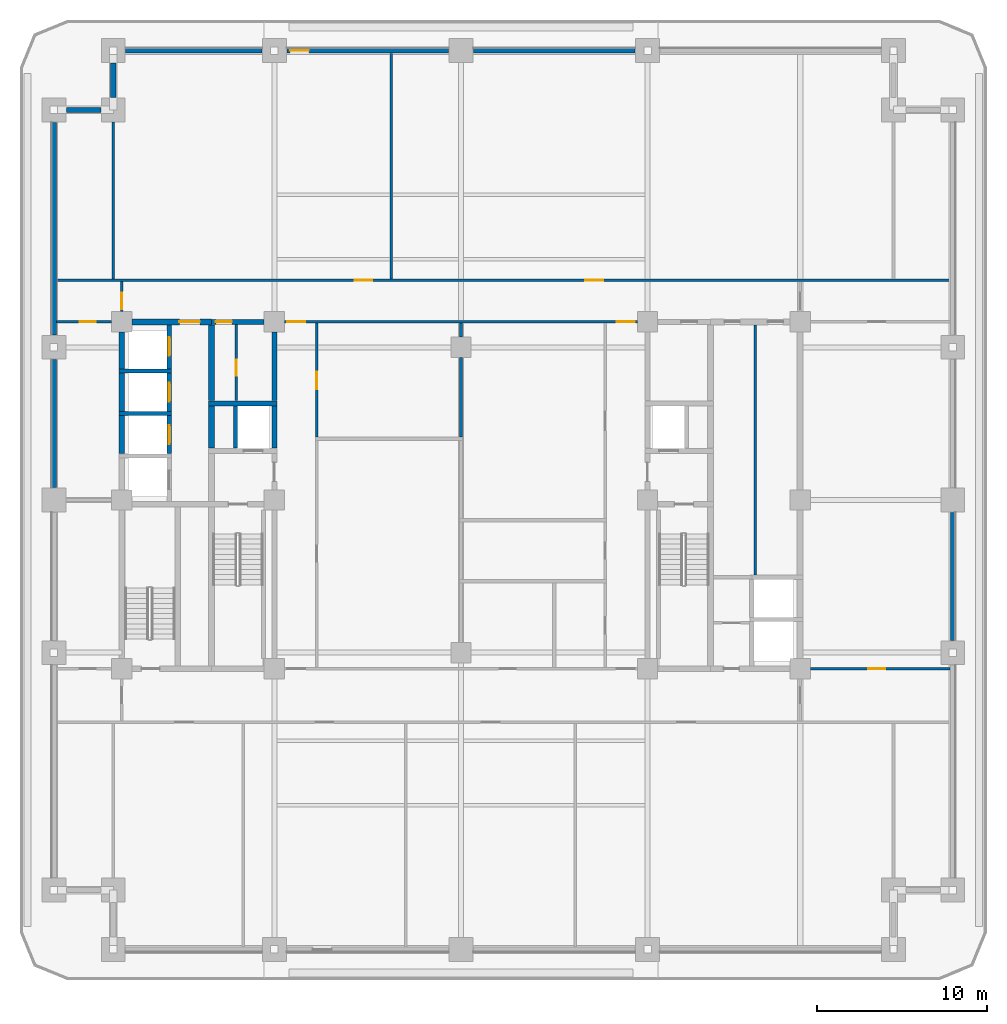
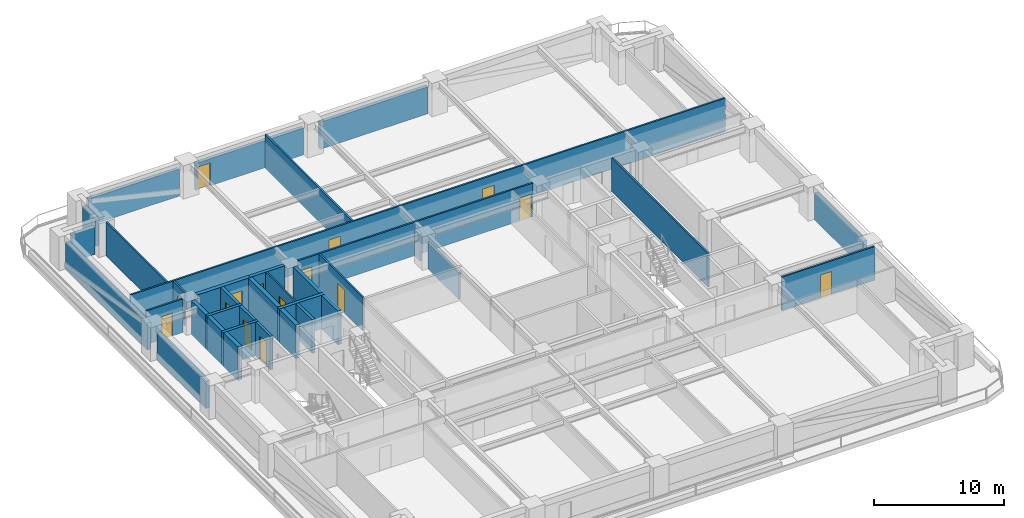
# One storey, part 4 of 12: 36 walls, 15 doors, 15 openings.
"""IFC4 building model written with IfcOpenShell, lengths in metres."""

from ifc_helpers import new_model, si_unit, direction, frame, frame_2d, origin, place, context, subcontext, project, spatial, rectangle, extrude, material, layer, layer_set, type_object, element, fill, save


model = new_model("IFC4")

# Units and contexts
model_context = context("Model", 3, precision=1e-05, world=origin(), true_north=direction((0.0, 1.0)))
body_context = subcontext(model_context, "Body", "Model", "MODEL_VIEW")
ifc_project = project(units=[si_unit("LENGTHUNIT", "METRE"), si_unit("AREAUNIT", "SQUARE_METRE"), si_unit("VOLUMEUNIT", "CUBIC_METRE"), si_unit("PLANEANGLEUNIT", "RADIAN"), si_unit("MASSUNIT", "GRAM", prefix="KILO")], contexts=[model_context])

# Site, building, storey
site_placement = place(None, origin())
site = spatial("IfcSite", under=ifc_project, at=site_placement, CompositionType="ELEMENT")
building_placement = place(site_placement, origin())
building = spatial("IfcBuilding", under=site, at=building_placement, Name="Zulmaris Gate Convention Tower", CompositionType="ELEMENT")
storey_placement = place(building_placement, frame((0.0, 0.0, 48.6201171875)))
storey = spatial("IfcBuildingStorey", under=building, at=storey_placement, Name="L11", CompositionType="ELEMENT", Elevation=48.6201171875)

# Walls
ifc_material_1 = material(Name="Concrete C50/60", Category="concrete")
ifc_layer_1 = layer(ifc_material_1, 0.25, Name="Concrete C50/60")
ifc_layer_set_1 = layer_set([ifc_layer_1], Name="Concrete C50/60")
wall_type_1 = type_object("IfcWallType", Name="CORE-250", PredefinedType="SOLIDWALL", material=ifc_layer_set_1)
for number, where, z_axis, x_axis, name in (
    (1, (-20.175048828125, 5.10009765625, 0.0), (0.0, 0.0, 1.0), (1.0, 0.0, 0.0), "WL-L11-012"),
    (2, (-20.175048828125, 7.60009765625, 0.0), (0.0, 0.0, 1.0), (1.0, 0.0, 0.0), "WL-L11-015"),
):
    element("IfcWall", number, at=place(storey_placement, frame(where, z_axis=z_axis, x_axis=x_axis)), inside=storey, type_object=wall_type_1, Name=name, PredefinedType="SOLIDWALL", context=body_context, shape_type="SweptSolid", body=[
        extrude(rectangle(XDim=3.10009765625, YDim=0.25, at=frame_2d((1.550048828125, 0.0))), origin(), (0.0, 0.0, 1.0), 3.144775390625),
    ])

# Wall, opening, door
wall_1_placement = place(storey_placement, frame((-17.199951171875, 2.72705078125, 0.0), z_axis=(0.0, 0.0, 1.0), x_axis=(0.0, 1.0, 0.0)))
wall_1 = element("IfcWall", 3, at=wall_1_placement, inside=storey, type_object=wall_type_1, Name="WL-L11-040", PredefinedType="SOLIDWALL", context=body_context, shape_type="SweptSolid", body=[
    extrude(rectangle(XDim=2.245849609375, YDim=0.25, at=frame_2d((1.123046875, 0.0))), origin(), (0.0, 0.0, 1.0), 3.144775390625),
])
opening_1_placement = place(wall_1_placement, frame((0.572998046875, 0.0, 0.0)))
opening_1 = element("IfcOpeningElement", 4, at=opening_1_placement, cuts=wall_1, Name="Opening D-06", PredefinedType="OPENING", context=body_context, shape_type="SweptSolid", body=[
    extrude(rectangle(XDim=1.10009765625, YDim=2.199951171875, at=frame_2d((0.550048828125, 1.10009765625))), frame((0.0, 0.135009765625, 0.0), z_axis=(0.0, -1.0, 0.0), x_axis=(1.0, 0.0, 0.0)), (0.0, 0.0, 1.0), 0.27001953125),
])
ifc_material_2 = material(Name="Brushed Stainless Steel", Category="steel")
door_type_1 = type_object("IfcDoorType", Name="LD-1100", OperationType="NOTDEFINED", PredefinedType="DOOR", material=ifc_material_2)
door_1_placement = place(opening_1_placement, origin())
door_1 = element("IfcDoor", 5, at=door_1_placement, inside=storey, type_object=door_type_1, Name="L11 Lift Landing Door LP-02 13", OperationType="SLIDING_TO_LEFT", OverallHeight=2.199951171875, OverallWidth=1.10009765625, PredefinedType="DOOR", context=body_context, shape_type="SweptSolid", body=[
    extrude(rectangle(XDim=1.10009765625, YDim=2.199951171875, at=frame_2d((0.550048828125, 1.10009765625))), frame((0.0, 0.02490234375, 0.0), z_axis=(0.0, -1.0, 0.0), x_axis=(1.0, 0.0, 0.0)), (0.0, 0.0, 1.0), 0.050048828125),
])
fill(opening_1, door_1)

wall_2_placement = place(storey_placement, frame((-17.199951171875, 5.22705078125, 0.0), z_axis=(0.0, 0.0, 1.0), x_axis=(0.0, 1.0, 0.0)))
wall_2 = element("IfcWall", 6, at=wall_2_placement, inside=storey, type_object=wall_type_1, Name="WL-L11-041", PredefinedType="SOLIDWALL", context=body_context, shape_type="SweptSolid", body=[
    extrude(rectangle(XDim=2.245849609375, YDim=0.25, at=frame_2d((1.123046875, 0.0))), origin(), (0.0, 0.0, 1.0), 3.144775390625),
])
opening_2_placement = place(wall_2_placement, frame((0.572998046875, 0.0, 0.0)))
opening_2 = element("IfcOpeningElement", 7, at=opening_2_placement, cuts=wall_2, Name="Opening D-06", PredefinedType="OPENING", context=body_context, shape_type="SweptSolid", body=[
    extrude(rectangle(XDim=1.10009765625, YDim=2.199951171875, at=frame_2d((0.550048828125, 1.10009765625))), frame((0.0, 0.135009765625, 0.0), z_axis=(0.0, -1.0, 0.0), x_axis=(1.0, 0.0, 0.0)), (0.0, 0.0, 1.0), 0.27001953125),
])
door_2_placement = place(opening_2_placement, origin())
door_2 = element("IfcDoor", 8, at=door_2_placement, inside=storey, type_object=door_type_1, Name="L11 Lift Landing Door LP-03 14", OperationType="SLIDING_TO_LEFT", OverallHeight=2.199951171875, OverallWidth=1.10009765625, PredefinedType="DOOR", context=body_context, shape_type="SweptSolid", body=[
    extrude(rectangle(XDim=1.10009765625, YDim=2.199951171875, at=frame_2d((0.550048828125, 1.10009765625))), frame((0.0, 0.02490234375, 0.0), z_axis=(0.0, -1.0, 0.0), x_axis=(1.0, 0.0, 0.0)), (0.0, 0.0, 1.0), 0.050048828125),
])
fill(opening_2, door_2)

wall_3_placement = place(storey_placement, frame((-17.199951171875, 7.72705078125, 0.0), z_axis=(0.0, 0.0, 1.0), x_axis=(0.0, 1.0, 0.0)))
wall_3 = element("IfcWall", 9, at=wall_3_placement, inside=storey, type_object=wall_type_1, Name="WL-L11-042", PredefinedType="SOLIDWALL", context=body_context, shape_type="SweptSolid", body=[
    extrude(rectangle(XDim=2.595947265625, YDim=0.25, at=frame_2d((1.2978515625, 0.0))), origin(), (0.0, 0.0, 1.0), 3.144775390625),
])
opening_3_placement = place(wall_3_placement, frame((0.77294921875, 0.0, 0.0)))
opening_3 = element("IfcOpeningElement", 10, at=opening_3_placement, cuts=wall_3, Name="Opening D-06", PredefinedType="OPENING", context=body_context, shape_type="SweptSolid", body=[
    extrude(rectangle(XDim=1.10009765625, YDim=2.199951171875, at=frame_2d((0.550048828125, 1.10009765625))), frame((0.0, 0.135009765625, 0.0), z_axis=(0.0, -1.0, 0.0), x_axis=(1.0, 0.0, 0.0)), (0.0, 0.0, 1.0), 0.27001953125),
])
door_3_placement = place(opening_3_placement, origin())
door_3 = element("IfcDoor", 11, at=door_3_placement, inside=storey, type_object=door_type_1, Name="L11 Lift Landing Door LP-04 15", OperationType="SLIDING_TO_LEFT", OverallHeight=2.199951171875, OverallWidth=1.10009765625, PredefinedType="DOOR", context=body_context, shape_type="SweptSolid", body=[
    extrude(rectangle(XDim=1.10009765625, YDim=2.199951171875, at=frame_2d((0.550048828125, 1.10009765625))), frame((0.0, 0.02490234375, 0.0), z_axis=(0.0, -1.0, 0.0), x_axis=(1.0, 0.0, 0.0)), (0.0, 0.0, 1.0), 0.050048828125),
])
fill(opening_3, door_3)

# Walls
wall_4_placement = place(storey_placement, frame((-13.300048828125, 3.052001953125, 0.0), z_axis=(0.0, 0.0, 1.0), x_axis=(0.0, 1.0, 0.0)))
element("IfcWall", 12, at=wall_4_placement, inside=storey, type_object=wall_type_1, Name="WL-L11-048", PredefinedType="SOLIDWALL", context=body_context, shape_type="SweptSolid", body=[
    extrude(rectangle(XDim=2.49609375, YDim=0.25, at=frame_2d((1.248046875, 0.0))), origin(), (0.0, 0.0, 1.0), 3.144775390625),
])
ifc_layer_2 = layer(ifc_material_1, 0.300048828125, Name="Concrete C50/60")
ifc_layer_set_2 = layer_set([ifc_layer_2], Name="Concrete C50/60")
wall_type_2 = type_object("IfcWallType", Name="CORE-300", PredefinedType="SHEAR", material=ifc_layer_set_2)
wall_5_placement = place(storey_placement, frame((-14.875, 5.699951171875, 0.0), z_axis=(0.0, 0.0, 1.0), x_axis=(1.0, 0.0, 0.0)))
element("IfcWall", 13, at=wall_5_placement, inside=storey, type_object=wall_type_2, Name="WL-L11-013", PredefinedType="SHEAR", context=body_context, shape_type="SweptSolid", body=[
    extrude(rectangle(XDim=4.02490234375, YDim=0.300048828125, at=frame_2d((2.012451171875, 0.0))), origin(), (0.0, 0.0, 1.0), 3.144775390625),
])

# Wall, opening, door
wall_6_placement = place(storey_placement, frame((-14.699951171875, 10.5, 0.0), z_axis=(0.0, 0.0, 1.0), x_axis=(1.0, 0.0, 0.0)))
wall_6 = element("IfcWall", 14, at=wall_6_placement, inside=storey, type_object=wall_type_2, Name="WL-L11-017", PredefinedType="SHEAR", context=body_context, shape_type="SweptSolid", body=[
    extrude(rectangle(XDim=3.095947265625, YDim=0.300048828125, at=frame_2d((1.5478515625, 0.0))), origin(), (0.0, 0.0, 1.0), 3.144775390625),
])
opening_4_placement = place(wall_6_placement, frame((0.2451171875, 0.0, 0.0)))
opening_4 = element("IfcOpeningElement", 15, at=opening_4_placement, cuts=wall_6, Name="Opening D-11", PredefinedType="OPENING", context=body_context, shape_type="SweptSolid", body=[
    extrude(rectangle(XDim=0.949951171875, YDim=2.14990234375, at=frame_2d((0.47509765625, 1.074951171875))), frame((0.0, 0.16015625, 0.0), z_axis=(0.0, -1.0, 0.0), x_axis=(1.0, 0.0, 0.0)), (0.0, 0.0, 1.0), 0.320068359375),
])
ifc_material_3 = material(Name="Fire-Rated Timber", Category="wood")
door_type_2 = type_object("IfcDoorType", Name="DR-950-FD", OperationType="NOTDEFINED", PredefinedType="DOOR", material=ifc_material_3)
door_4_placement = place(opening_4_placement, origin())
door_4 = element("IfcDoor", 16, at=door_4_placement, inside=storey, type_object=door_type_2, Name="L11 Core Mail Room Door 07", OperationType="SINGLE_SWING_RIGHT", OverallHeight=2.14990234375, OverallWidth=0.949951171875, PredefinedType="DOOR", context=body_context, shape_type="SweptSolid", body=[
    extrude(rectangle(XDim=0.949951171875, YDim=2.14990234375, at=frame_2d((0.47509765625, 1.074951171875))), frame((0.0, 0.02490234375, 0.0), z_axis=(0.0, -1.0, 0.0), x_axis=(1.0, 0.0, 0.0)), (0.0, 0.0, 1.0), 0.050048828125),
])
fill(opening_4, door_4)

# Walls
wall_7_placement = place(storey_placement, frame((-11.0, 3.052001953125, 0.0), z_axis=(0.0, 0.0, 1.0), x_axis=(0.0, 1.0, 0.0)))
element("IfcWall", 17, at=wall_7_placement, inside=storey, type_object=wall_type_2, Name="WL-L11-052", PredefinedType="SHEAR", context=body_context, shape_type="SweptSolid", body=[
    extrude(rectangle(XDim=2.49609375, YDim=0.300048828125, at=frame_2d((1.248046875, 0.0))), origin(), (0.0, 0.0, 1.0), 3.144775390625),
])
wall_8_placement = place(storey_placement, frame((-11.0, 5.85205078125, 0.0), z_axis=(0.0, 0.0, 1.0), x_axis=(0.0, 1.0, 0.0)))
element("IfcWall", 18, at=wall_8_placement, inside=storey, type_object=wall_type_2, Name="WL-L11-053", PredefinedType="SHEAR", context=body_context, shape_type="SweptSolid", body=[
    extrude(rectangle(XDim=4.0439453125, YDim=0.300048828125, at=frame_2d((2.02197265625, 0.0))), origin(), (0.0, 0.0, 1.0), 3.144775390625),
])

# Wall, opening, door
ifc_material_4 = material(Name="Concrete C55/67", Category="concrete")
ifc_layer_3 = layer(ifc_material_4, 0.35009765625, Name="Concrete C55/67")
ifc_layer_set_3 = layer_set([ifc_layer_3], Name="Concrete C55/67")
wall_type_3 = type_object("IfcWallType", Name="CORE-350", PredefinedType="SHEAR", material=ifc_layer_set_3)
wall_9_placement = place(storey_placement, frame((-19.39599609375, 10.5, 0.0), z_axis=(0.0, 0.0, 1.0), x_axis=(1.0, 0.0, 0.0)))
wall_9 = element("IfcWall", 19, at=wall_9_placement, inside=storey, type_object=wall_type_3, Name="WL-L11-016", PredefinedType="SHEAR", context=body_context, shape_type="SweptSolid", body=[
    extrude(rectangle(XDim=4.696044921875, YDim=0.35009765625, at=frame_2d((2.34814453125, 0.0))), origin(), (0.0, 0.0, 1.0), 3.144775390625),
])
opening_5_placement = place(wall_9_placement, frame((2.7958984375, 0.0, 0.0)))
opening_5 = element("IfcOpeningElement", 20, at=opening_5_placement, cuts=wall_9, Name="Opening D-13", PredefinedType="OPENING", context=body_context, shape_type="SweptSolid", body=[
    extrude(rectangle(XDim=1.199951171875, YDim=2.14990234375, at=frame_2d((0.60009765625, 1.074951171875))), frame((0.0, 0.18505859375, 0.0), z_axis=(0.0, -1.0, 0.0), x_axis=(1.0, 0.0, 0.0)), (0.0, 0.0, 1.0), 0.3701171875),
])
ifc_material_5 = material(Name="Fire-Rated Steel", Category="steel")
door_type_3 = type_object("IfcDoorType", Name="DR-1200-FD", OperationType="NOTDEFINED", PredefinedType="DOOR", material=ifc_material_5)
door_5_placement = place(opening_5_placement, origin())
door_5 = element("IfcDoor", 21, at=door_5_placement, inside=storey, type_object=door_type_3, Name="L11 Low-Rise Lift Lobby Door 11", OperationType="SINGLE_SWING_RIGHT", OverallHeight=2.14990234375, OverallWidth=1.199951171875, PredefinedType="DOOR", context=body_context, shape_type="SweptSolid", body=[
    extrude(rectangle(XDim=1.199951171875, YDim=2.14990234375, at=frame_2d((0.60009765625, 1.074951171875))), frame((0.0, 0.02490234375, 0.0), z_axis=(0.0, -1.0, 0.0), x_axis=(1.0, 0.0, 0.0)), (0.0, 0.0, 1.0), 0.050048828125),
])
fill(opening_5, door_5)

# Walls
for number, where, z_axis, x_axis, name in (
    (22, (-20.0, 2.72705078125, 0.0), (0.0, 0.0, 1.0), (0.0, 1.0, 0.0), "WL-L11-036"),
    (23, (-20.0, 5.22705078125, 0.0), (0.0, 0.0, 1.0), (0.0, 1.0, 0.0), "WL-L11-037"),
):
    element("IfcWall", number, at=place(storey_placement, frame(where, z_axis=z_axis, x_axis=x_axis)), inside=storey, type_object=wall_type_3, Name=name, PredefinedType="SHEAR", context=body_context, shape_type="SweptSolid", body=[
        extrude(rectangle(XDim=2.245849609375, YDim=0.35009765625, at=frame_2d((1.123046875, 0.0))), origin(), (0.0, 0.0, 1.0), 3.144775390625),
    ])
wall_10_placement = place(storey_placement, frame((-20.0, 7.72705078125, 0.0), z_axis=(0.0, 0.0, 1.0), x_axis=(0.0, 1.0, 0.0)))
element("IfcWall", 24, at=wall_10_placement, inside=storey, type_object=wall_type_3, Name="WL-L11-038", PredefinedType="SHEAR", context=body_context, shape_type="SweptSolid", body=[
    extrude(rectangle(XDim=2.1689453125, YDim=0.35009765625, at=frame_2d((1.08447265625, 0.0))), origin(), (0.0, 0.0, 1.0), 3.144775390625),
])
wall_11_placement = place(storey_placement, frame((-14.699951171875, 3.052001953125, 0.0), z_axis=(0.0, 0.0, 1.0), x_axis=(0.0, 1.0, 0.0)))
element("IfcWall", 25, at=wall_11_placement, inside=storey, type_object=wall_type_3, Name="WL-L11-046", PredefinedType="SHEAR", context=body_context, shape_type="SweptSolid", body=[
    extrude(rectangle(XDim=2.49609375, YDim=0.35009765625, at=frame_2d((1.248046875, 0.0))), origin(), (0.0, 0.0, 1.0), 3.144775390625),
])
wall_12_placement = place(storey_placement, frame((-14.699951171875, 5.85205078125, 0.0), z_axis=(0.0, 0.0, 1.0), x_axis=(0.0, 1.0, 0.0)))
element("IfcWall", 26, at=wall_12_placement, inside=storey, type_object=wall_type_3, Name="WL-L11-047", PredefinedType="SHEAR", context=body_context, shape_type="SweptSolid", body=[
    extrude(rectangle(XDim=4.470947265625, YDim=0.35009765625, at=frame_2d((2.2353515625, 0.0))), origin(), (0.0, 0.0, 1.0), 3.144775390625),
])

# Wall, opening, door
ifc_material_6 = material(Name="Gypsum Metal Stud Partition")
ifc_layer_4 = layer(ifc_material_6, 0.14990234375, Name="Gypsum Metal Stud Partition")
ifc_layer_set_4 = layer_set([ifc_layer_4], Name="Gypsum Metal Stud Partition")
wall_type_4 = type_object("IfcWallType", Name="PART-150", PredefinedType="PARTITIONING", material=ifc_layer_set_4)
wall_13_placement = place(storey_placement, frame((20.60595703125, -9.949951171875, 0.0), z_axis=(0.0, 0.0, 1.0), x_axis=(1.0, 0.0, 0.0)))
wall_13 = element("IfcWall", 27, at=wall_13_placement, inside=storey, type_object=wall_type_4, Name="WL-L11-023", PredefinedType="PARTITIONING", context=body_context, shape_type="SweptSolid", body=[
    extrude(rectangle(XDim=8.22900390625, YDim=0.14990234375, at=frame_2d((4.114501953125, 0.0))), origin(), (0.0, 0.0, 1.0), 3.144775390625),
])
opening_6_placement = place(wall_13_placement, frame((3.39404296875, 0.0, 0.0)))
opening_6 = element("IfcOpeningElement", 28, at=opening_6_placement, cuts=wall_13, Name="Opening D-10", PredefinedType="OPENING", context=body_context, shape_type="SweptSolid", body=[
    extrude(rectangle(XDim=1.0, YDim=2.14990234375, at=frame_2d((0.5, 1.074951171875))), frame((0.0, 0.0849609375, 0.0), z_axis=(0.0, -1.0, 0.0), x_axis=(1.0, 0.0, 0.0)), (0.0, 0.0, 1.0), 0.169921875),
])
door_type_4 = type_object("IfcDoorType", Name="DR-1000-FD", OperationType="NOTDEFINED", PredefinedType="DOOR", material=ifc_material_3)
door_6_placement = place(opening_6_placement, origin())
door_6 = element("IfcDoor", 29, at=door_6_placement, inside=storey, type_object=door_type_4, Name="L11 East Workplace South Door 43", OperationType="SINGLE_SWING_RIGHT", OverallHeight=2.14990234375, OverallWidth=1.0, PredefinedType="DOOR", context=body_context, shape_type="SweptSolid", body=[
    extrude(rectangle(XDim=1.0, YDim=2.14990234375, at=frame_2d((0.5, 1.074951171875))), frame((0.0, 0.02490234375, 0.0), z_axis=(0.0, -1.0, 0.0), x_axis=(1.0, 0.0, 0.0)), (0.0, 0.0, 1.0), 0.050048828125),
])
fill(opening_6, door_6)

wall_14_placement = place(storey_placement, frame((-23.8349609375, 10.5, 0.0), z_axis=(0.0, 0.0, 1.0), x_axis=(1.0, 0.0, 0.0)))
wall_14 = element("IfcWall", 30, at=wall_14_placement, inside=storey, type_object=wall_type_4, Name="WL-L11-030", PredefinedType="PARTITIONING", context=body_context, shape_type="SweptSolid", body=[
    extrude(rectangle(XDim=3.22900390625, YDim=0.14990234375, at=frame_2d((1.614501953125, 0.0))), origin(), (0.0, 0.0, 1.0), 3.144775390625),
])
opening_7_placement = place(wall_14_placement, frame((1.360107421875, 0.0, 0.0)))
opening_7 = element("IfcOpeningElement", 31, at=opening_7_placement, cuts=wall_14, Name="Opening D-11", PredefinedType="OPENING", context=body_context, shape_type="SweptSolid", body=[
    extrude(rectangle(XDim=0.949951171875, YDim=2.14990234375, at=frame_2d((0.47509765625, 1.074951171875))), frame((0.0, 0.0849609375, 0.0), z_axis=(0.0, -1.0, 0.0), x_axis=(1.0, 0.0, 0.0)), (0.0, 0.0, 1.0), 0.169921875),
])
door_7_placement = place(opening_7_placement, origin())
door_7 = element("IfcDoor", 32, at=door_7_placement, inside=storey, type_object=door_type_2, Name="L11 NW Partner Door 38", OperationType="SINGLE_SWING_LEFT", OverallHeight=2.14990234375, OverallWidth=0.949951171875, PredefinedType="DOOR", context=body_context, shape_type="SweptSolid", body=[
    extrude(rectangle(XDim=0.949951171875, YDim=2.14990234375, at=frame_2d((0.47509765625, 1.074951171875))), frame((0.0, 0.02490234375, 0.0), z_axis=(0.0, -1.0, 0.0), x_axis=(1.0, 0.0, 0.0)), (0.0, 0.0, 1.0), 0.050048828125),
])
fill(opening_7, door_7)

# Wall, openings, doors
wall_15_placement = place(storey_placement, frame((-10.39404296875, 10.5, 0.0), z_axis=(0.0, 0.0, 1.0), x_axis=(1.0, 0.0, 0.0)))
wall_15 = element("IfcWall", 33, at=wall_15_placement, inside=storey, type_object=wall_type_4, Name="WL-L11-031", PredefinedType="PARTITIONING", context=body_context, shape_type="SweptSolid", body=[
    extrude(rectangle(XDim=20.7880859375, YDim=0.14990234375, at=frame_2d((10.39404296875, 0.0))), origin(), (0.0, 0.0, 1.0), 3.144775390625),
])
opening_8_placement = place(wall_15_placement, frame((0.14990234375, 0.0, 0.0)))
opening_8 = element("IfcOpeningElement", 34, at=opening_8_placement, cuts=wall_15, Name="Opening D-09", PredefinedType="OPENING", context=body_context, shape_type="SweptSolid", body=[
    extrude(rectangle(XDim=1.050048828125, YDim=2.14990234375, at=frame_2d((0.52490234375, 1.074951171875))), frame((0.0, 0.0849609375, 0.0), z_axis=(0.0, -1.0, 0.0), x_axis=(1.0, 0.0, 0.0)), (0.0, 0.0, 1.0), 0.169921875),
])
opening_9_placement = place(wall_15_placement, frame((19.587890625, 0.0, 0.0)))
opening_9 = element("IfcOpeningElement", 35, at=opening_9_placement, cuts=wall_15, Name="Opening D-09", PredefinedType="OPENING", context=body_context, shape_type="SweptSolid", body=[
    extrude(rectangle(XDim=1.050048828125, YDim=2.14990234375, at=frame_2d((0.52490234375, 1.074951171875))), frame((0.0, 0.0849609375, 0.0), z_axis=(0.0, -1.0, 0.0), x_axis=(1.0, 0.0, 0.0)), (0.0, 0.0, 1.0), 0.169921875),
])
door_type_5 = type_object("IfcDoorType", Name="DR-1050-FD", OperationType="NOTDEFINED", PredefinedType="DOOR", material=ifc_material_5)
door_8_placement = place(opening_8_placement, origin())
door_8 = element("IfcDoor", 36, at=door_8_placement, inside=storey, type_object=door_type_5, Name="L11 NW Spine Link Door 20", OperationType="SINGLE_SWING_LEFT", OverallHeight=2.14990234375, OverallWidth=1.050048828125, PredefinedType="DOOR", context=body_context, shape_type="SweptSolid", body=[
    extrude(rectangle(XDim=1.050048828125, YDim=2.14990234375, at=frame_2d((0.52490234375, 1.074951171875))), frame((0.0, 0.02490234375, 0.0), z_axis=(0.0, -1.0, 0.0), x_axis=(1.0, 0.0, 0.0)), (0.0, 0.0, 1.0), 0.050048828125),
])
fill(opening_8, door_8)
door_9_placement = place(opening_9_placement, origin())
door_9 = element("IfcDoor", 37, at=door_9_placement, inside=storey, type_object=door_type_5, Name="L11 NE Spine Link Door 22", OperationType="SINGLE_SWING_LEFT", OverallHeight=2.14990234375, OverallWidth=1.050048828125, PredefinedType="DOOR", context=body_context, shape_type="SweptSolid", body=[
    extrude(rectangle(XDim=1.050048828125, YDim=2.14990234375, at=frame_2d((0.52490234375, 1.074951171875))), frame((0.0, 0.02490234375, 0.0), z_axis=(0.0, -1.0, 0.0), x_axis=(1.0, 0.0, 0.0)), (0.0, 0.0, 1.0), 0.050048828125),
])
fill(opening_9, door_9)

wall_16_placement = place(storey_placement, frame((-23.8349609375, 12.949951171875, 0.0), z_axis=(0.0, 0.0, 1.0), x_axis=(1.0, 0.0, 0.0)))
wall_16 = element("IfcWall", 38, at=wall_16_placement, inside=storey, type_object=wall_type_4, Name="WL-L11-033", PredefinedType="PARTITIONING", context=body_context, shape_type="SweptSolid", body=[
    extrude(rectangle(XDim=52.669921875, YDim=0.14990234375, at=frame_2d((26.3349609375, 0.0))), origin(), (0.0, 0.0, 1.0), 3.144775390625),
])
opening_10_placement = place(wall_16_placement, frame((17.56005859375, 0.0, 0.0)))
opening_10 = element("IfcOpeningElement", 39, at=opening_10_placement, cuts=wall_16, Name="Opening D-09", PredefinedType="OPENING", context=body_context, shape_type="SweptSolid", body=[
    extrude(rectangle(XDim=1.050048828125, YDim=2.14990234375, at=frame_2d((0.52490234375, 1.074951171875))), frame((0.0, 0.0849609375, 0.0), z_axis=(0.0, -1.0, 0.0), x_axis=(1.0, 0.0, 0.0)), (0.0, 0.0, 1.0), 0.169921875),
])
opening_11_placement = place(wall_16_placement, frame((31.159912109375, 0.0, 0.0)))
opening_11 = element("IfcOpeningElement", 40, at=opening_11_placement, cuts=wall_16, Name="Opening D-09", PredefinedType="OPENING", context=body_context, shape_type="SweptSolid", body=[
    extrude(rectangle(XDim=1.050048828125, YDim=2.14990234375, at=frame_2d((0.52490234375, 1.074951171875))), frame((0.0, 0.0849609375, 0.0), z_axis=(0.0, -1.0, 0.0), x_axis=(1.0, 0.0, 0.0)), (0.0, 0.0, 1.0), 0.169921875),
])
door_10_placement = place(opening_10_placement, origin())
door_10 = element("IfcDoor", 41, at=door_10_placement, inside=storey, type_object=door_type_5, Name="L11 Research Reading Room Door 24", OperationType="SINGLE_SWING_LEFT", OverallHeight=2.14990234375, OverallWidth=1.050048828125, PredefinedType="DOOR", context=body_context, shape_type="SweptSolid", body=[
    extrude(rectangle(XDim=1.050048828125, YDim=2.14990234375, at=frame_2d((0.52490234375, 1.074951171875))), frame((0.0, 0.02490234375, 0.0), z_axis=(0.0, -1.0, 0.0), x_axis=(1.0, 0.0, 0.0)), (0.0, 0.0, 1.0), 0.050048828125),
])
fill(opening_10, door_10)
door_11_placement = place(opening_11_placement, origin())
door_11 = element("IfcDoor", 42, at=door_11_placement, inside=storey, type_object=door_type_5, Name="L11 Quiet Focus Study Door 25", OperationType="SINGLE_SWING_RIGHT", OverallHeight=2.14990234375, OverallWidth=1.050048828125, PredefinedType="DOOR", context=body_context, shape_type="SweptSolid", body=[
    extrude(rectangle(XDim=1.050048828125, YDim=2.14990234375, at=frame_2d((0.52490234375, 1.074951171875))), frame((0.0, 0.02490234375, 0.0), z_axis=(0.0, -1.0, 0.0), x_axis=(1.0, 0.0, 0.0)), (0.0, 0.0, 1.0), 0.050048828125),
])
fill(opening_11, door_11)

# Wall
wall_17_placement = place(storey_placement, frame((-20.5, 13.028076171875, 0.0), z_axis=(0.0, 0.0, 1.0), x_axis=(0.0, 1.0, 0.0)))
element("IfcWall", 43, at=wall_17_placement, inside=storey, type_object=wall_type_4, Name="WL-L11-070", PredefinedType="PARTITIONING", context=body_context, shape_type="SweptSolid", body=[
    extrude(rectangle(XDim=9.265869140625, YDim=0.14990234375, at=frame_2d((4.6328125, 0.0))), origin(), (0.0, 0.0, 1.0), 3.144775390625),
])

# Wall, opening, door
wall_18_placement = place(storey_placement, frame((-20.0, 11.10595703125, 0.0), z_axis=(0.0, 0.0, 1.0), x_axis=(0.0, 1.0, 0.0)))
wall_18 = element("IfcWall", 44, at=wall_18_placement, inside=storey, type_object=wall_type_4, Name="WL-L11-072", PredefinedType="PARTITIONING", context=body_context, shape_type="SweptSolid", body=[
    extrude(rectangle(XDim=1.76611328125, YDim=0.14990234375, at=frame_2d((0.883056640625, 0.0))), origin(), (0.0, 0.0, 1.0), 3.144775390625),
])
opening_12_placement = place(wall_18_placement, frame((0.14990234375, 0.0, 0.0)))
opening_12 = element("IfcOpeningElement", 45, at=opening_12_placement, cuts=wall_18, Name="Opening D-11", PredefinedType="OPENING", context=body_context, shape_type="SweptSolid", body=[
    extrude(rectangle(XDim=0.949951171875, YDim=2.14990234375, at=frame_2d((0.47509765625, 1.074951171875))), frame((0.0, 0.0849609375, 0.0), z_axis=(0.0, -1.0, 0.0), x_axis=(1.0, 0.0, 0.0)), (0.0, 0.0, 1.0), 0.169921875),
])
door_12_placement = place(opening_12_placement, origin())
door_12 = element("IfcDoor", 46, at=door_12_placement, inside=storey, type_object=door_type_2, Name="L11 NW Spur Door 36", OperationType="SINGLE_SWING_LEFT", OverallHeight=2.14990234375, OverallWidth=0.949951171875, PredefinedType="DOOR", context=body_context, shape_type="SweptSolid", body=[
    extrude(rectangle(XDim=0.949951171875, YDim=2.14990234375, at=frame_2d((0.47509765625, 1.074951171875))), frame((0.0, 0.02490234375, 0.0), z_axis=(0.0, -1.0, 0.0), x_axis=(1.0, 0.0, 0.0)), (0.0, 0.0, 1.0), 0.050048828125),
])
fill(opening_12, door_12)

wall_19_placement = place(storey_placement, frame((-13.25, 5.85302734375, 0.0), z_axis=(0.0, 0.0, 1.0), x_axis=(0.0, 1.0, 0.0)))
wall_19 = element("IfcWall", 47, at=wall_19_placement, inside=storey, type_object=wall_type_4, Name="WL-L11-073", PredefinedType="PARTITIONING", context=body_context, shape_type="SweptSolid", body=[
    extrude(rectangle(XDim=4.493896484375, YDim=0.14990234375, at=frame_2d((2.2470703125, 0.0))), origin(), (0.0, 0.0, 1.0), 3.144775390625),
])
opening_13_placement = place(wall_19_placement, frame((1.471923828125, 0.0, 0.0)))
opening_13 = element("IfcOpeningElement", 48, at=opening_13_placement, cuts=wall_19, Name="Opening D-11", PredefinedType="OPENING", context=body_context, shape_type="SweptSolid", body=[
    extrude(rectangle(XDim=0.949951171875, YDim=2.14990234375, at=frame_2d((0.47509765625, 1.074951171875))), frame((0.0, 0.0849609375, 0.0), z_axis=(0.0, -1.0, 0.0), x_axis=(1.0, 0.0, 0.0)), (0.0, 0.0, 1.0), 0.169921875),
])
door_13_placement = place(opening_13_placement, origin())
door_13 = element("IfcDoor", 49, at=door_13_placement, inside=storey, type_object=door_type_2, Name="L11 Core Janitor Door 08", OperationType="SINGLE_SWING_LEFT", OverallHeight=2.14990234375, OverallWidth=0.949951171875, PredefinedType="DOOR", context=body_context, shape_type="SweptSolid", body=[
    extrude(rectangle(XDim=0.949951171875, YDim=2.14990234375, at=frame_2d((0.47509765625, 1.074951171875))), frame((0.0, 0.02490234375, 0.0), z_axis=(0.0, -1.0, 0.0), x_axis=(1.0, 0.0, 0.0)), (0.0, 0.0, 1.0), 0.050048828125),
])
fill(opening_13, door_13)

wall_20_placement = place(storey_placement, frame((-8.5, 3.702880859375, 0.0), z_axis=(0.0, 0.0, 1.0), x_axis=(0.0, 1.0, 0.0)))
wall_20 = element("IfcWall", 50, at=wall_20_placement, inside=storey, type_object=wall_type_4, Name="WL-L11-076", PredefinedType="PARTITIONING", context=body_context, shape_type="SweptSolid", body=[
    extrude(rectangle(XDim=6.71923828125, YDim=0.14990234375, at=frame_2d((3.359619140625, 0.0))), origin(), (0.0, 0.0, 1.0), 3.144775390625),
])
opening_14_placement = place(wall_20_placement, frame((2.822021484375, 0.0, 0.0)))
opening_14 = element("IfcOpeningElement", 51, at=opening_14_placement, cuts=wall_20, Name="Opening D-09", PredefinedType="OPENING", context=body_context, shape_type="SweptSolid", body=[
    extrude(rectangle(XDim=1.050048828125, YDim=2.14990234375, at=frame_2d((0.52490234375, 1.074951171875))), frame((0.0, 0.0849609375, 0.0), z_axis=(0.0, -1.0, 0.0), x_axis=(1.0, 0.0, 0.0)), (0.0, 0.0, 1.0), 0.169921875),
])
door_14_placement = place(opening_14_placement, origin())
door_14 = element("IfcDoor", 52, at=door_14_placement, inside=storey, type_object=door_type_5, Name="L11 Boardroom Door 30", OperationType="SINGLE_SWING_LEFT", OverallHeight=2.14990234375, OverallWidth=1.050048828125, PredefinedType="DOOR", context=body_context, shape_type="SweptSolid", body=[
    extrude(rectangle(XDim=1.050048828125, YDim=2.14990234375, at=frame_2d((0.52490234375, 1.074951171875))), frame((0.0, 0.02490234375, 0.0), z_axis=(0.0, -1.0, 0.0), x_axis=(1.0, 0.0, 0.0)), (0.0, 0.0, 1.0), 0.050048828125),
])
fill(opening_14, door_14)

# Walls
wall_21_placement = place(storey_placement, frame((-4.10009765625, 13.028076171875, 0.0), z_axis=(0.0, 0.0, 1.0), x_axis=(0.0, 1.0, 0.0)))
element("IfcWall", 53, at=wall_21_placement, inside=storey, type_object=wall_type_4, Name="WL-L11-077", PredefinedType="PARTITIONING", context=body_context, shape_type="SweptSolid", body=[
    extrude(rectangle(XDim=13.306884765625, YDim=0.14990234375, at=frame_2d((6.6533203125, 0.0))), origin(), (0.0, 0.0, 1.0), 3.144775390625),
])
wall_22_placement = place(storey_placement, frame((17.35009765625, -4.422119140625, 0.0), z_axis=(0.0, 0.0, 1.0), x_axis=(0.0, 1.0, 0.0)))
element("IfcWall", 54, at=wall_22_placement, inside=storey, type_object=wall_type_4, Name="WL-L11-088", PredefinedType="PARTITIONING", context=body_context, shape_type="SweptSolid", body=[
    extrude(rectangle(XDim=14.744140625, YDim=0.14990234375, at=frame_2d((7.3720703125, 0.0))), origin(), (0.0, 0.0, 1.0), 3.144775390625),
])
ifc_material_7 = material(Name="Autoclaved Aerated Concrete Block and Plasterboard", Category="concrete")
ifc_layer_5 = layer(ifc_material_7, 0.199951171875, Name="Autoclaved Aerated Concrete Block and Plasterboard")
ifc_layer_set_5 = layer_set([ifc_layer_5], Name="Autoclaved Aerated Concrete Block and Plasterboard")
wall_type_5 = type_object("IfcWallType", Name="PART-200", PredefinedType="PARTITIONING", material=ifc_layer_set_5)
wall_23_placement = place(storey_placement, frame((0.0, 3.702880859375, 0.0), z_axis=(0.0, 0.0, 1.0), x_axis=(0.0, 1.0, 0.0)))
element("IfcWall", 55, at=wall_23_placement, inside=storey, type_object=wall_type_5, Name="WL-L11-082", PredefinedType="PARTITIONING", context=body_context, shape_type="SweptSolid", body=[
    extrude(rectangle(XDim=4.691162109375, YDim=0.199951171875, at=frame_2d((2.345703125, 0.0))), origin(), (0.0, 0.0, 1.0), 2.48486328125),
])
wall_24_placement = place(storey_placement, frame((0.0, 9.60595703125, 0.0), z_axis=(0.0, 0.0, 1.0), x_axis=(0.0, 1.0, 0.0)))
element("IfcWall", 56, at=wall_24_placement, inside=storey, type_object=wall_type_5, Name="WL-L11-082S1", PredefinedType="PARTITIONING", context=body_context, shape_type="SweptSolid", body=[
    extrude(rectangle(XDim=0.816162109375, YDim=0.199951171875, at=frame_2d((0.408203125, 0.0))), origin(), (0.0, 0.0, 1.0), 2.48486328125),
])
ifc_material_8 = material(Name="Precast concrete C40/50", Category="concrete")
ifc_layer_6 = layer(ifc_material_8, 0.300048828125, Name="Precast concrete C40/50")
ifc_layer_set_6 = layer_set([ifc_layer_6], Name="Precast concrete C40/50")
wall_type_6 = type_object("IfcWallType", Name="PRECAST-PIER-300", PredefinedType="STANDARD", material=ifc_layer_set_6)
for number, where, z_axis, x_axis, name in (
    (57, (-20.5, 25.77001953125, 0.0), (0.0, 0.0, 1.0), (0.0, -1.0, 0.0), "EW-L11-NOTCH-NW1_0"),
    (58, (-21.22998046875, 23.0, 0.0), (0.0, 0.0, 1.0), (-1.0, 0.0, 0.0), "EW-L11-NOTCH-NW2_0"),
):
    element("IfcWall", number, at=place(storey_placement, frame(where, z_axis=z_axis, x_axis=x_axis)), inside=storey, type_object=wall_type_6, Name=name, PredefinedType="STANDARD", context=body_context, shape_type="SweptSolid", body=[
        extrude(rectangle(XDim=2.0400390625, YDim=0.300048828125, at=frame_2d((1.02001953125, 0.0))), origin(), (0.0, 0.0, 1.0), 2.536865234375),
    ])
wall_25_placement = place(storey_placement, frame((-11.72998046875, 26.5, 0.0), z_axis=(0.0, 0.0, 1.0), x_axis=(-1.0, 0.0, 0.0)))
element("IfcWall", 59, at=wall_25_placement, inside=storey, type_object=wall_type_6, Name="EW-L11-N-0_0", PredefinedType="STANDARD", context=body_context, shape_type="SweptSolid", body=[
    extrude(rectangle(XDim=8.0400390625, YDim=0.300048828125, at=frame_2d((4.02001953125, 0.0))), origin(), (0.0, 0.0, 1.0), 2.536865234375),
])

# Wall, opening, door
wall_26_placement = place(storey_placement, frame((-0.72998046875, 26.5, 0.0), z_axis=(0.0, 0.0, 1.0), x_axis=(-1.0, 0.0, 0.0)))
wall_26 = element("IfcWall", 60, at=wall_26_placement, inside=storey, type_object=wall_type_6, Name="EW-L11-N-1_0", PredefinedType="STANDARD", context=body_context, shape_type="SweptSolid", body=[
    extrude(rectangle(XDim=9.5400390625, YDim=0.300048828125, at=frame_2d((4.77001953125, 0.0))), origin(), (0.0, 0.0, 1.0), 2.536865234375),
])
opening_15_placement = place(wall_26_placement, frame((8.239990234375, 0.0, 0.0)))
opening_15 = element("IfcOpeningElement", 61, at=opening_15_placement, cuts=wall_26, Name="Opening D-04", PredefinedType="OPENING", context=body_context, shape_type="SweptSolid", body=[
    extrude(rectangle(XDim=1.10009765625, YDim=2.14990234375, at=frame_2d((0.550048828125, 1.074951171875))), frame((0.0, 0.16015625, 0.0), z_axis=(0.0, -1.0, 0.0), x_axis=(1.0, 0.0, 0.0)), (0.0, 0.0, 1.0), 0.320068359375),
])
ifc_material_9 = material(Name="Anodised Aluminium and Laminated Glass", Category="aluminium")
door_type_6 = type_object("IfcDoorType", Name="ED-1100", OperationType="SINGLE_SWING_RIGHT", PredefinedType="DOOR", material=ifc_material_9)
door_15_placement = place(opening_15_placement, origin())
door_15 = element("IfcDoor", 62, at=door_15_placement, inside=storey, type_object=door_type_6, Name="L11 N Planted Terrace Door", OperationType="SINGLE_SWING_LEFT", OverallHeight=2.14990234375, OverallWidth=1.10009765625, PredefinedType="DOOR", context=body_context, shape_type="SweptSolid", body=[
    extrude(rectangle(XDim=1.10009765625, YDim=2.14990234375, at=frame_2d((0.550048828125, 1.074951171875))), frame((0.0, 0.02490234375, 0.0), z_axis=(0.0, -1.0, 0.0), x_axis=(1.0, 0.0, 0.0)), (0.0, 0.0, 1.0), 0.050048828125),
])
fill(opening_15, door_15)

# Walls
wall_27_placement = place(storey_placement, frame((10.27001953125, 26.5, 0.0), z_axis=(0.0, 0.0, 1.0), x_axis=(-1.0, 0.0, 0.0)))
element("IfcWall", 63, at=wall_27_placement, inside=storey, type_object=wall_type_6, Name="EW-L11-N-2_0", PredefinedType="STANDARD", context=body_context, shape_type="SweptSolid", body=[
    extrude(rectangle(XDim=9.5400390625, YDim=0.300048828125, at=frame_2d((4.77001953125, 0.0))), origin(), (0.0, 0.0, 1.0), 2.536865234375),
])
for number, where, z_axis, x_axis, name in (
    (64, (29.0, -8.27001953125, 0.0), (0.0, 0.0, 1.0), (0.0, 1.0, 0.0), "EW-L11-E-1_0"),
    (65, (-24.0, 8.27001953125, 0.0), (0.0, 0.0, 1.0), (0.0, -1.0, 0.0), "EW-L11-W-2_0"),
):
    element("IfcWall", number, at=place(storey_placement, frame(where, z_axis=z_axis, x_axis=x_axis)), inside=storey, type_object=wall_type_6, Name=name, PredefinedType="STANDARD", context=body_context, shape_type="SweptSolid", body=[
        extrude(rectangle(XDim=7.5400390625, YDim=0.300048828125, at=frame_2d((3.77001953125, 0.0))), origin(), (0.0, 0.0, 1.0), 2.536865234375),
    ])
wall_28_placement = place(storey_placement, frame((-24.0, 22.27001953125, 0.0), z_axis=(0.0, 0.0, 1.0), x_axis=(0.0, -1.0, 0.0)))
element("IfcWall", 66, at=wall_28_placement, inside=storey, type_object=wall_type_6, Name="EW-L11-W-3_0", PredefinedType="STANDARD", context=body_context, shape_type="SweptSolid", body=[
    extrude(rectangle(XDim=12.5400390625, YDim=0.300048828125, at=frame_2d((6.27001953125, 0.0))), origin(), (0.0, 0.0, 1.0), 2.536865234375),
])

save(model, "model.ifc")
